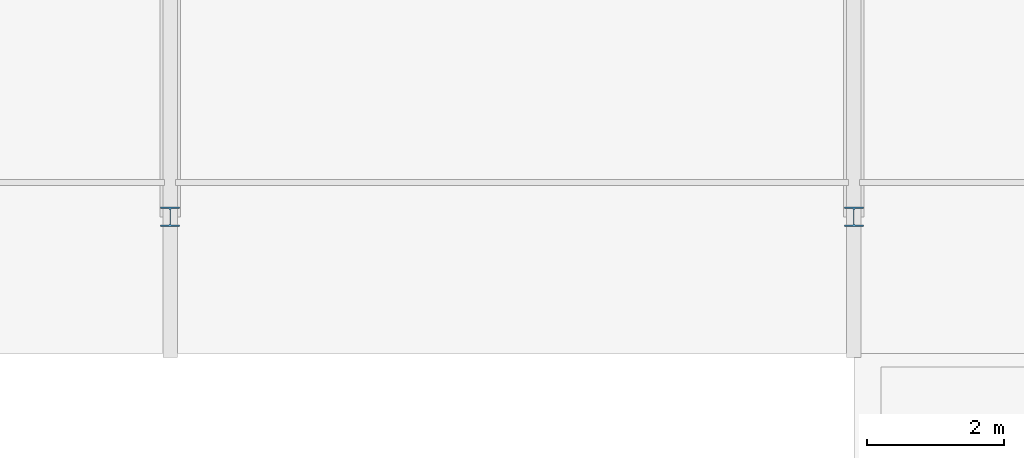
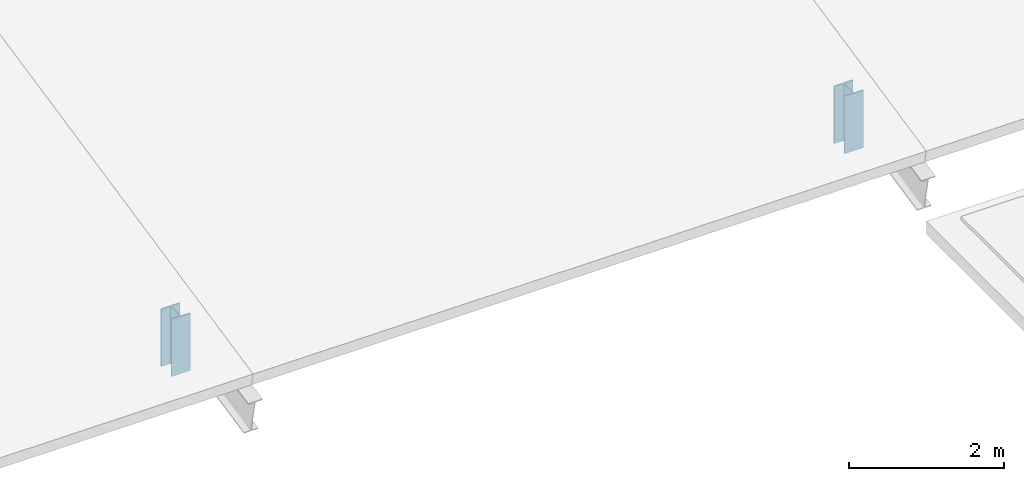
# One storey, part 6 of 10: 2 members.
"""IFC4 building model written with IfcOpenShell, lengths in metres."""

import ifcopenshell
import ifcopenshell.guid

model = None  # the IFC model being written
_history = None  # IfcOwnerHistory: only IFC2X3 demands one
_inside = {}  # id of a spatial element -> (the spatial element, [elements in it])
_under = {}  # id of a project, library or spatial element -> (it, [spatial elements below it])
_declared = {}  # id of a project -> (the project, [libraries it declares])
_typed = {}  # id of a type object -> (the type object, [elements of that type])
_made_of = {}  # id of a material, layer set ... -> (it, [elements and type objects made of it])


def new_model(schema):
    """Start an empty IFC model of exactly this schema.

    Asked for "IFC4X3", IfcOpenShell would pick the latest addendum, in which some entities
    have other attributes; the version numbers below select the first issue.
    IFC2X3 requires an IfcOwnerHistory on every rooted entity: one is made here for all.
    """
    global model, _history
    if schema == "IFC4X3":
        model = ifcopenshell.file(schema_version=(4, 3, 0, 0))
    else:
        model = ifcopenshell.file(schema=schema)
    _inside.clear()
    _under.clear()
    _declared.clear()
    _typed.clear()
    _made_of.clear()
    _history = None
    if model.schema == "IFC2X3":
        org = make("IfcOrganization", Name="unknown")
        user = make(
            "IfcPersonAndOrganization",
            ThePerson=make("IfcPerson", FamilyName="unknown"),
            TheOrganization=org,
        )
        app = make(
            "IfcApplication",
            ApplicationDeveloper=org,
            Version="unknown",
            ApplicationFullName="unknown",
            ApplicationIdentifier="unknown",
        )
        _history = make(
            "IfcOwnerHistory",
            OwningUser=user,
            OwningApplication=app,
            ChangeAction="ADDED",
            CreationDate=0,
        )
    return model


def make(cls, **values):
    """One entity of the class cls with the attributes given. An attribute that is None is left unset."""
    return model.create_entity(
        cls, **{name: value for name, value in values.items() if value is not None}
    )


def rooted(cls, **values):
    """An entity with a GlobalId (a new one), such as an element, a storey or a relation."""
    return make(cls, GlobalId=ifcopenshell.guid.new(), OwnerHistory=_history, **values)


def si_unit(unit_type, name, prefix=None):
    """IfcSIUnit, for example si_unit("LENGTHUNIT", "METRE", prefix="MILLI")."""
    return make("IfcSIUnit", UnitType=unit_type, Prefix=prefix, Name=name)


def assignment(units):
    """IfcUnitAssignment: the units of a project."""
    return None if units is None else make("IfcUnitAssignment", Units=units)


def point(xyz):
    """IfcCartesianPoint."""
    return None if xyz is None else make("IfcCartesianPoint", Coordinates=xyz)


def direction(xyz):
    """IfcDirection."""
    return None if xyz is None else make("IfcDirection", DirectionRatios=xyz)


def frame(location, z_axis=None, x_axis=None):
    """IfcAxis2Placement3D, a coordinate frame: its origin and axes. An axis left out is left unset."""
    return make(
        "IfcAxis2Placement3D",
        Location=point(location),
        Axis=direction(z_axis),
        RefDirection=direction(x_axis),
    )


def frame_2d(location, x_axis=None):
    """IfcAxis2Placement2D, a coordinate frame in the plane: its origin and x axis."""
    return make(
        "IfcAxis2Placement2D", Location=point(location), RefDirection=direction(x_axis)
    )


def origin():
    """The frame at (0, 0, 0) with its axes left unset."""
    return frame((0.0, 0.0, 0.0))


def origin_2d():
    """The frame at (0, 0) in the plane with its x axis left unset."""
    return frame_2d((0.0, 0.0))


def place(relative_to, where):
    """IfcLocalPlacement: puts the frame where relative to a parent placement (None: the world)."""
    return make(
        "IfcLocalPlacement", PlacementRelTo=relative_to, RelativePlacement=where
    )


def context(
    kind, dimensions, precision=None, world=None, true_north=None, identifier=None
):
    """IfcGeometricRepresentationContext, for example the 3D "Model" context."""
    return make(
        "IfcGeometricRepresentationContext",
        ContextIdentifier=identifier,
        ContextType=kind,
        CoordinateSpaceDimension=dimensions,
        Precision=precision,
        WorldCoordinateSystem=world,
        TrueNorth=true_north,
    )


def subcontext(parent, identifier, kind, view, scale=None):
    """IfcGeometricRepresentationSubContext, for example "Body" below "Model"."""
    return make(
        "IfcGeometricRepresentationSubContext",
        ContextIdentifier=identifier,
        ContextType=kind,
        ParentContext=parent,
        TargetScale=scale,
        TargetView=view,
    )


def project(units=None, contexts=None):
    """IfcProject with its units and contexts."""
    return rooted(
        "IfcProject",
        Name="project",
        RepresentationContexts=contexts,
        UnitsInContext=assignment(units),
    )


def spatial(cls, under=None, at=None, **own):
    """A site, building, storey or space (cls), placed at a placement, below another one or the project."""
    s = rooted(cls, ObjectPlacement=at, **own)
    if under is not None:
        _under.setdefault(under.id(), (under, []))[1].append(s)
    return s


def profile(cls, at=None, kind="AREA", **sizes):
    """A parametric profile (cls). Its sizes go by their IFC names, for example OverallWidth=200.0."""
    return make(cls, ProfileType=kind, Position=at, **sizes)


def i_section(**sizes):
    """IfcIShapeProfileDef."""
    return profile("IfcIShapeProfileDef", **sizes)


def extrude(swept, where, along, depth):
    """IfcExtrudedAreaSolid: the profile swept, set in the frame where, extruded along a direction by depth."""
    return make(
        "IfcExtrudedAreaSolid",
        SweptArea=swept,
        Position=where,
        ExtrudedDirection=direction(along),
        Depth=depth,
    )


def shape(context_of_items, identifier, shape_type, items):
    """IfcShapeRepresentation: the items that make up one representation, for example the "Body"."""
    return make(
        "IfcShapeRepresentation",
        ContextOfItems=context_of_items,
        RepresentationIdentifier=identifier,
        RepresentationType=shape_type,
        Items=items,
    )


def material(Name=None, Category=None):
    """IfcMaterial."""
    return make("IfcMaterial", Name=Name, Category=Category)


def material_profile(
    of_material, cross_section, Name=None, Category=None, Priority=None
):
    """IfcMaterialProfile: a cross section and its material."""
    return make(
        "IfcMaterialProfile",
        Name=Name,
        Material=of_material,
        Profile=cross_section,
        Priority=Priority,
        Category=Category,
    )


def profile_set(profiles, Name=None, composite=None):
    """IfcMaterialProfileSet."""
    return make(
        "IfcMaterialProfileSet",
        Name=Name,
        MaterialProfiles=profiles,
        CompositeProfile=composite,
    )


def made_of(thing, what):
    """Note that an element or type object is made of a material, layer set ...; save() writes the relation."""
    if what is not None:
        _made_of.setdefault(what.id(), (what, []))[1].append(thing)
    return thing


def type_object(cls, material=None, **own):
    """A type object (cls), such as IfcWallType, which elements share."""
    return made_of(rooted(cls, **own), material)


def element(
    cls,
    number,
    at=None,
    inside=None,
    cuts=None,
    type_object=None,
    material=None,
    context=None,
    identifier="Body",
    shape_type=None,
    held_by="IfcProductDefinitionShape",
    body=None,
    shapes=None,
    **own,
):
    """One element of the class cls, such as IfcWall. Its Tag is "e" and its number.

    at: its placement. inside: the storey or other place that contains it. cuts: it is an
    opening in that element (IfcRelVoidsElement). A single representation is given by context,
    identifier, shape_type and body (its items); several are given by shapes. held_by: the class
    of the entity that holds the representations. save() writes the other relations.
    """
    e = rooted(cls, Tag="e%d" % number, ObjectPlacement=at, **own)
    if body is not None:
        shapes = [shape(context, identifier, shape_type, body)]
    if shapes is not None:
        e.Representation = make(held_by, Representations=shapes)
    if inside is not None:
        _inside.setdefault(inside.id(), (inside, []))[1].append(e)
    if cuts is not None:
        rooted(
            "IfcRelVoidsElement", RelatingBuildingElement=cuts, RelatedOpeningElement=e
        )
    if type_object is not None:
        _typed.setdefault(type_object.id(), (type_object, []))[1].append(e)
    return made_of(e, material)


def aggregate(whole, parts):
    """IfcRelAggregates: a whole, such as a stair, and the parts it consists of."""
    return rooted("IfcRelAggregates", RelatingObject=whole, RelatedObjects=parts)


def save(model, path):
    """Write the relations noted so far, then the file.

    IfcRelAggregates (storeys below a building ...), IfcRelContainedInSpatialStructure (elements
    in a storey), IfcRelDefinesByType, IfcRelAssociatesMaterial and IfcRelDeclares: one each for
    every whole, place, type object, material and project.
    """
    for whole, parts in _under.values():
        aggregate(whole, parts)
    for where, things in _inside.values():
        rooted(
            "IfcRelContainedInSpatialStructure",
            RelatedElements=things,
            RelatingStructure=where,
        )
    for kind, things in _typed.values():
        rooted("IfcRelDefinesByType", RelatedObjects=things, RelatingType=kind)
    for what, things in _made_of.values():
        rooted("IfcRelAssociatesMaterial", RelatedObjects=things, RelatingMaterial=what)
    for by, libraries in _declared.values():
        rooted("IfcRelDeclares", RelatingContext=by, RelatedDefinitions=libraries)
    model.write(path)


model = new_model("IFC4")

# Units and contexts
model_context = context("Model", 3, precision=1e-05, world=origin(), true_north=direction((0.0, 1.0)))
body_context = subcontext(model_context, "Body", "Model", "MODEL_VIEW")
ifc_project = project(units=[si_unit("LENGTHUNIT", "METRE"), si_unit("AREAUNIT", "SQUARE_METRE"), si_unit("VOLUMEUNIT", "CUBIC_METRE"), si_unit("PLANEANGLEUNIT", "RADIAN"), si_unit("MASSUNIT", "GRAM", prefix="KILO")], contexts=[model_context])

# Site, building, storey
site_placement = place(None, origin())
site = spatial("IfcSite", under=ifc_project, at=site_placement, CompositionType="ELEMENT")
building_placement = place(site_placement, origin())
building = spatial("IfcBuilding", under=site, at=building_placement, Name="Kivolera Central Railway Station", CompositionType="ELEMENT")
storey_placement = place(building_placement, frame((0.0, 0.0, 31.199951171875)))
storey = spatial("IfcBuildingStorey", under=building, at=storey_placement, Name="Roof", CompositionType="ELEMENT", Elevation=31.199951171875)

# Members
ifc_material = material(Name="Steel S355", Category="steel")
ifc_material_profile = material_profile(ifc_material, i_section(OverallWidth=0.280029296875, OverallDepth=0.280029296875, WebThickness=0.010498046875, FlangeThickness=0.01806640625, FilletRadius=0.02392578125, at=origin_2d()), Name="HEB 280")
ifc_profile_set = profile_set([ifc_material_profile], Name="Steel S355")
member_type = type_object("IfcMemberType", Name="MEM-RAF-HEB280", PredefinedType="STRUT", material=ifc_profile_set)
for number, where, z_axis, x_axis, name in (
    (1, (168.0, 114.0, -0.02001953125), (0.0, 0.0, 1.0), (1.0, 0.0, 0.0), "Roof Monsoon Truss Post 6-K"),
    (2, (178.0, 114.0, -0.02001953125), (0.0, 0.0, 1.0), (1.0, 0.0, 0.0), "Roof Monsoon Truss Post 7-K"),
):
    element("IfcMember", number, at=place(storey_placement, frame(where, z_axis=z_axis, x_axis=x_axis)), inside=storey, type_object=member_type, Name=name, PredefinedType="STRUT", context=body_context, shape_type="SweptSolid", body=[
        extrude(i_section(OverallWidth=0.280029296875, OverallDepth=0.280029296875, WebThickness=0.010498046875, FlangeThickness=0.01806640625, FilletRadius=0.02392578125, at=origin_2d()), origin(), (0.0, 0.0, 1.0), 0.900146484375),
    ])

save(model, "model.ifc")
